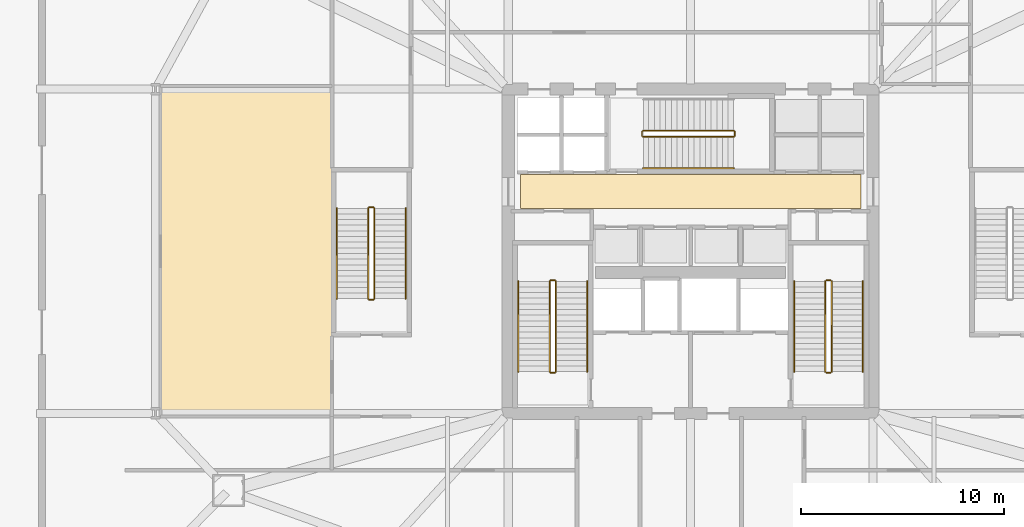
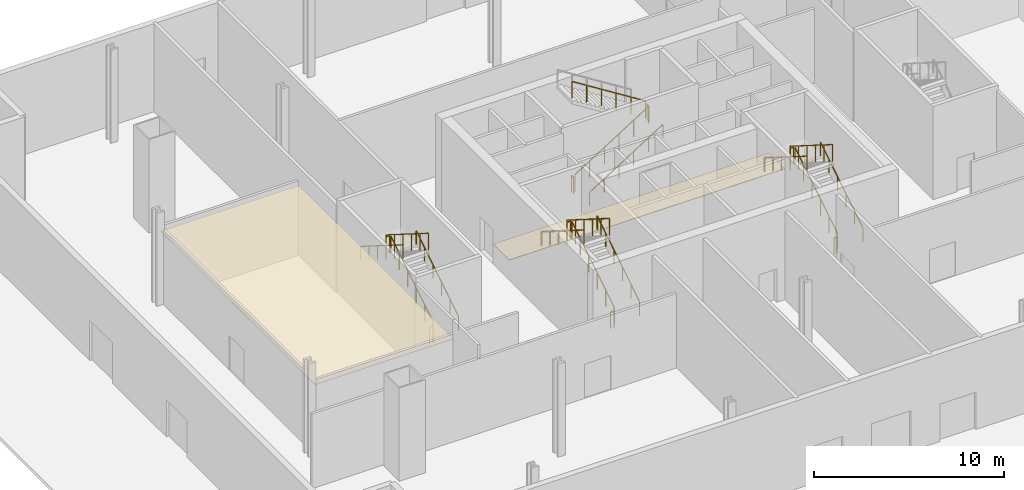
# One storey, part 8 of 10: 23 railings, 2 coverings.
"""IFC4 building model written with IfcOpenShell, lengths in metres."""

import ifcopenshell
import ifcopenshell.guid

model = None  # the IFC model being written
_history = None  # IfcOwnerHistory: only IFC2X3 demands one
_inside = {}  # id of a spatial element -> (the spatial element, [elements in it])
_under = {}  # id of a project, library or spatial element -> (it, [spatial elements below it])
_declared = {}  # id of a project -> (the project, [libraries it declares])
_typed = {}  # id of a type object -> (the type object, [elements of that type])
_made_of = {}  # id of a material, layer set ... -> (it, [elements and type objects made of it])


def new_model(schema):
    """Start an empty IFC model of exactly this schema.

    Asked for "IFC4X3", IfcOpenShell would pick the latest addendum, in which some entities
    have other attributes; the version numbers below select the first issue.
    IFC2X3 requires an IfcOwnerHistory on every rooted entity: one is made here for all.
    """
    global model, _history
    if schema == "IFC4X3":
        model = ifcopenshell.file(schema_version=(4, 3, 0, 0))
    else:
        model = ifcopenshell.file(schema=schema)
    _inside.clear()
    _under.clear()
    _declared.clear()
    _typed.clear()
    _made_of.clear()
    _history = None
    if model.schema == "IFC2X3":
        org = make("IfcOrganization", Name="unknown")
        user = make(
            "IfcPersonAndOrganization",
            ThePerson=make("IfcPerson", FamilyName="unknown"),
            TheOrganization=org,
        )
        app = make(
            "IfcApplication",
            ApplicationDeveloper=org,
            Version="unknown",
            ApplicationFullName="unknown",
            ApplicationIdentifier="unknown",
        )
        _history = make(
            "IfcOwnerHistory",
            OwningUser=user,
            OwningApplication=app,
            ChangeAction="ADDED",
            CreationDate=0,
        )
    return model


def make(cls, **values):
    """One entity of the class cls with the attributes given. An attribute that is None is left unset."""
    return model.create_entity(
        cls, **{name: value for name, value in values.items() if value is not None}
    )


def rooted(cls, **values):
    """An entity with a GlobalId (a new one), such as an element, a storey or a relation."""
    return make(cls, GlobalId=ifcopenshell.guid.new(), OwnerHistory=_history, **values)


def si_unit(unit_type, name, prefix=None):
    """IfcSIUnit, for example si_unit("LENGTHUNIT", "METRE", prefix="MILLI")."""
    return make("IfcSIUnit", UnitType=unit_type, Prefix=prefix, Name=name)


def assignment(units):
    """IfcUnitAssignment: the units of a project."""
    return None if units is None else make("IfcUnitAssignment", Units=units)


def point(xyz):
    """IfcCartesianPoint."""
    return None if xyz is None else make("IfcCartesianPoint", Coordinates=xyz)


def direction(xyz):
    """IfcDirection."""
    return None if xyz is None else make("IfcDirection", DirectionRatios=xyz)


def frame(location, z_axis=None, x_axis=None):
    """IfcAxis2Placement3D, a coordinate frame: its origin and axes. An axis left out is left unset."""
    return make(
        "IfcAxis2Placement3D",
        Location=point(location),
        Axis=direction(z_axis),
        RefDirection=direction(x_axis),
    )


def frame_2d(location, x_axis=None):
    """IfcAxis2Placement2D, a coordinate frame in the plane: its origin and x axis."""
    return make(
        "IfcAxis2Placement2D", Location=point(location), RefDirection=direction(x_axis)
    )


def origin():
    """The frame at (0, 0, 0) with its axes left unset."""
    return frame((0.0, 0.0, 0.0))


def origin_2d():
    """The frame at (0, 0) in the plane with its x axis left unset."""
    return frame_2d((0.0, 0.0))


def place(relative_to, where):
    """IfcLocalPlacement: puts the frame where relative to a parent placement (None: the world)."""
    return make(
        "IfcLocalPlacement", PlacementRelTo=relative_to, RelativePlacement=where
    )


def context(
    kind, dimensions, precision=None, world=None, true_north=None, identifier=None
):
    """IfcGeometricRepresentationContext, for example the 3D "Model" context."""
    return make(
        "IfcGeometricRepresentationContext",
        ContextIdentifier=identifier,
        ContextType=kind,
        CoordinateSpaceDimension=dimensions,
        Precision=precision,
        WorldCoordinateSystem=world,
        TrueNorth=true_north,
    )


def subcontext(parent, identifier, kind, view, scale=None):
    """IfcGeometricRepresentationSubContext, for example "Body" below "Model"."""
    return make(
        "IfcGeometricRepresentationSubContext",
        ContextIdentifier=identifier,
        ContextType=kind,
        ParentContext=parent,
        TargetScale=scale,
        TargetView=view,
    )


def project(units=None, contexts=None):
    """IfcProject with its units and contexts."""
    return rooted(
        "IfcProject",
        Name="project",
        RepresentationContexts=contexts,
        UnitsInContext=assignment(units),
    )


def spatial(cls, under=None, at=None, **own):
    """A site, building, storey or space (cls), placed at a placement, below another one or the project."""
    s = rooted(cls, ObjectPlacement=at, **own)
    if under is not None:
        _under.setdefault(under.id(), (under, []))[1].append(s)
    return s


def polyline(points):
    """IfcPolyline through the points."""
    return make("IfcPolyline", Points=[point(p) for p in points])


def profile(cls, at=None, kind="AREA", **sizes):
    """A parametric profile (cls). Its sizes go by their IFC names, for example OverallWidth=200.0."""
    return make(cls, ProfileType=kind, Position=at, **sizes)


def rectangle(**sizes):
    """IfcRectangleProfileDef."""
    return profile("IfcRectangleProfileDef", **sizes)


def outline(outer, holes=None, kind="AREA"):
    """IfcArbitraryClosedProfileDef: a profile drawn as a closed curve; with holes, ...WithVoids."""
    if holes is None:
        return make("IfcArbitraryClosedProfileDef", ProfileType=kind, OuterCurve=outer)
    return make(
        "IfcArbitraryProfileDefWithVoids",
        ProfileType=kind,
        OuterCurve=outer,
        InnerCurves=holes,
    )


def extrude(swept, where, along, depth):
    """IfcExtrudedAreaSolid: the profile swept, set in the frame where, extruded along a direction by depth."""
    return make(
        "IfcExtrudedAreaSolid",
        SweptArea=swept,
        Position=where,
        ExtrudedDirection=direction(along),
        Depth=depth,
    )


def shape(context_of_items, identifier, shape_type, items):
    """IfcShapeRepresentation: the items that make up one representation, for example the "Body"."""
    return make(
        "IfcShapeRepresentation",
        ContextOfItems=context_of_items,
        RepresentationIdentifier=identifier,
        RepresentationType=shape_type,
        Items=items,
    )


def material(Name=None, Category=None):
    """IfcMaterial."""
    return make("IfcMaterial", Name=Name, Category=Category)


def layer(
    of_material, thickness, ventilated=None, Name=None, Category=None, Priority=None
):
    """IfcMaterialLayer: one layer of a wall or slab, of a material (None: an air gap)."""
    return make(
        "IfcMaterialLayer",
        Material=of_material,
        LayerThickness=thickness,
        IsVentilated=ventilated,
        Name=Name,
        Category=Category,
        Priority=Priority,
    )


def layer_set(layers, Name=None):
    """IfcMaterialLayerSet."""
    return make("IfcMaterialLayerSet", MaterialLayers=layers, LayerSetName=Name)


def made_of(thing, what):
    """Note that an element or type object is made of a material, layer set ...; save() writes the relation."""
    if what is not None:
        _made_of.setdefault(what.id(), (what, []))[1].append(thing)
    return thing


def type_object(cls, material=None, **own):
    """A type object (cls), such as IfcWallType, which elements share."""
    return made_of(rooted(cls, **own), material)


def element(
    cls,
    number,
    at=None,
    inside=None,
    cuts=None,
    type_object=None,
    material=None,
    context=None,
    identifier="Body",
    shape_type=None,
    held_by="IfcProductDefinitionShape",
    body=None,
    shapes=None,
    **own,
):
    """One element of the class cls, such as IfcWall. Its Tag is "e" and its number.

    at: its placement. inside: the storey or other place that contains it. cuts: it is an
    opening in that element (IfcRelVoidsElement). A single representation is given by context,
    identifier, shape_type and body (its items); several are given by shapes. held_by: the class
    of the entity that holds the representations. save() writes the other relations.
    """
    e = rooted(cls, Tag="e%d" % number, ObjectPlacement=at, **own)
    if body is not None:
        shapes = [shape(context, identifier, shape_type, body)]
    if shapes is not None:
        e.Representation = make(held_by, Representations=shapes)
    if inside is not None:
        _inside.setdefault(inside.id(), (inside, []))[1].append(e)
    if cuts is not None:
        rooted(
            "IfcRelVoidsElement", RelatingBuildingElement=cuts, RelatedOpeningElement=e
        )
    if type_object is not None:
        _typed.setdefault(type_object.id(), (type_object, []))[1].append(e)
    return made_of(e, material)


def aggregate(whole, parts):
    """IfcRelAggregates: a whole, such as a stair, and the parts it consists of."""
    return rooted("IfcRelAggregates", RelatingObject=whole, RelatedObjects=parts)


def save(model, path):
    """Write the relations noted so far, then the file.

    IfcRelAggregates (storeys below a building ...), IfcRelContainedInSpatialStructure (elements
    in a storey), IfcRelDefinesByType, IfcRelAssociatesMaterial and IfcRelDeclares: one each for
    every whole, place, type object, material and project.
    """
    for whole, parts in _under.values():
        aggregate(whole, parts)
    for where, things in _inside.values():
        rooted(
            "IfcRelContainedInSpatialStructure",
            RelatedElements=things,
            RelatingStructure=where,
        )
    for kind, things in _typed.values():
        rooted("IfcRelDefinesByType", RelatedObjects=things, RelatingType=kind)
    for what, things in _made_of.values():
        rooted("IfcRelAssociatesMaterial", RelatedObjects=things, RelatingMaterial=what)
    for by, libraries in _declared.values():
        rooted("IfcRelDeclares", RelatingContext=by, RelatedDefinitions=libraries)
    model.write(path)


model = new_model("IFC4")

# Units and contexts
model_context = context("Model", 3, precision=1e-05, world=origin(), true_north=direction((0.0, 1.0)))
body_context = subcontext(model_context, "Body", "Model", "MODEL_VIEW")
ifc_project = project(units=[si_unit("LENGTHUNIT", "METRE"), si_unit("AREAUNIT", "SQUARE_METRE"), si_unit("VOLUMEUNIT", "CUBIC_METRE"), si_unit("PLANEANGLEUNIT", "RADIAN"), si_unit("MASSUNIT", "GRAM", prefix="KILO")], contexts=[model_context])

# Site, building, storey
site_placement = place(None, origin())
site = spatial("IfcSite", under=ifc_project, at=site_placement, CompositionType="ELEMENT")
building_placement = place(site_placement, origin())
building = spatial("IfcBuilding", under=site, at=building_placement, Name="Haldenkirk Collegiate Tower", CompositionType="ELEMENT")
storey_placement = place(building_placement, origin())
storey = spatial("IfcBuildingStorey", under=building, at=storey_placement, Name="L00", CompositionType="ELEMENT", Elevation=0.0)

# Coverings
ifc_material_1 = material(Name="Suspended mineral-fibre acoustic tile", Category="concrete")
ifc_layer_1 = layer(ifc_material_1, 0.0400390625)
ifc_layer_set_1 = layer_set([ifc_layer_1], Name="Suspended mineral-fibre acoustic tile")
covering_type_1 = type_object("IfcCoveringType", Name="COV-CEIL-ACOUSTIC", PredefinedType="CEILING", material=ifc_layer_set_1)
covering_1_placement = place(storey_placement, frame((0.0, 0.0, 4.39990234375)))
element("IfcCovering", 1, at=covering_1_placement, inside=storey, type_object=covering_type_1, Name="L00 acoustic suspended ceiling CLG-L00-LT1", PredefinedType="CEILING", context=body_context, shape_type="SweptSolid", body=[
    extrude(outline(polyline([(9.85009765625, 17.85009765625), (18.300048828125, 17.85009765625), (18.300048828125, 34.14990234375), (9.85009765625, 34.14990234375), (9.85009765625, 17.85009765625)])), origin(), (0.0, 0.0, 1.0), 0.0400390625),
])
ifc_material_2 = material(Name="Polished collegiate terrazzo", Category="concrete")
ifc_layer_2 = layer(ifc_material_2, 0.02490234375)
ifc_layer_set_2 = layer_set([ifc_layer_2], Name="Polished collegiate terrazzo")
covering_type_2 = type_object("IfcCoveringType", Name="COV-FLOOR-TERRAZZO", PredefinedType="FLOORING", material=ifc_layer_set_2)
covering_2_placement = place(storey_placement, origin())
element("IfcCovering", 2, at=covering_2_placement, inside=storey, type_object=covering_type_2, Name="L00 polished terrazzo lobby finish", PredefinedType="FLOORING", context=body_context, shape_type="SweptSolid", body=[
    extrude(outline(polyline([(27.60009765625, 28.10009765625), (44.39990234375, 28.10009765625), (44.39990234375, 29.800048828125), (27.60009765625, 29.800048828125), (27.60009765625, 28.10009765625)])), origin(), (0.0, 0.0, 1.0), 0.02490234375),
])

# Railings
ifc_material_3 = material(Name="Painted architectural tubular steel", Category="steel")
railing_type_1 = type_object("IfcRailingType", Name="RLG-STAIR-GUARD-1100", PredefinedType="BALUSTRADE", material=ifc_material_3)
railing_1_placement = place(storey_placement, frame((29.35009765625, 20.050048828125, 0.176513671875)))
element("IfcRailing", 3, at=railing_1_placement, inside=storey, type_object=railing_type_1, Name="L00 ST-1 stair guard 1", PredefinedType="BALUSTRADE", context=body_context, shape_type="SweptSolid", body=[
    extrude(rectangle(XDim=0.048095703125, YDim=0.048095703125, at=origin_2d()), frame((0.0, 0.0, 1.076171875), z_axis=(0.0, 0.845997938375, 0.533186166611), x_axis=(-1.0, 0.0, 0.0)), (0.0, 0.0, 1.0), 5.29541015625),
    extrude(rectangle(XDim=0.0419921875, YDim=0.0419921875, at=origin_2d()), origin(), (0.0, 0.0, 1.0), 1.052001953125),
    extrude(rectangle(XDim=0.0419921875, YDim=0.0419921875, at=origin_2d()), frame((0.0, 0.89599609375, 0.564697265625)), (0.0, 0.0, 1.0), 1.052001953125),
    extrude(rectangle(XDim=0.0419921875, YDim=0.0419921875, at=origin_2d()), frame((0.0, 1.7919921875, 1.12939453125)), (0.0, 0.0, 1.0), 1.052001953125),
    extrude(rectangle(XDim=0.0419921875, YDim=0.0419921875, at=origin_2d()), frame((0.0, 2.68798828125, 1.694091796875)), (0.0, 0.0, 1.0), 1.052001953125),
    extrude(rectangle(XDim=0.0419921875, YDim=0.0419921875, at=origin_2d()), frame((0.0, 3.583984375, 2.2587890625)), (0.0, 0.0, 1.0), 1.052001953125),
    extrude(rectangle(XDim=0.0419921875, YDim=0.0419921875, at=origin_2d()), frame((0.0, 4.47998046875, 2.823486328125)), (0.0, 0.0, 1.0), 1.052001953125),
])
railing_2_placement = place(storey_placement, frame((29.300048828125, 24.580078125, 3.0)))
element("IfcRailing", 4, at=railing_2_placement, inside=storey, type_object=railing_type_1, Name="L00 ST-1 stair guard 2", PredefinedType="BALUSTRADE", context=body_context, shape_type="SweptSolid", body=[
    extrude(rectangle(XDim=0.048095703125, YDim=0.048095703125, at=origin_2d()), frame((0.0, 0.0, 1.076171875), z_axis=(-1.0, 0.0, 0.0), x_axis=(0.0, -1.0, 0.0)), (0.0, 0.0, 1.0), 0.199951171875),
    extrude(rectangle(XDim=0.0419921875, YDim=0.0419921875, at=origin_2d()), origin(), (0.0, 0.0, 1.0), 1.052001953125),
    extrude(rectangle(XDim=0.0419921875, YDim=0.0419921875, at=origin_2d()), frame((-0.199951171875, 0.0, 0.0)), (0.0, 0.0, 1.0), 1.052001953125),
])
railing_3_placement = place(storey_placement, frame((29.050048828125, 24.530029296875, 3.176513671875)))
element("IfcRailing", 5, at=railing_3_placement, inside=storey, type_object=railing_type_1, Name="L00 ST-1 stair guard 3", PredefinedType="BALUSTRADE", context=body_context, shape_type="SweptSolid", body=[
    extrude(rectangle(XDim=0.048095703125, YDim=0.048095703125, at=origin_2d()), frame((0.0, 0.0, 1.076171875), z_axis=(0.0, -0.845997938375, 0.533186166611), x_axis=(1.0, 0.0, 0.0)), (0.0, 0.0, 1.0), 5.29541015625),
    extrude(rectangle(XDim=0.0419921875, YDim=0.0419921875, at=origin_2d()), origin(), (0.0, 0.0, 1.0), 1.052001953125),
    extrude(rectangle(XDim=0.0419921875, YDim=0.0419921875, at=origin_2d()), frame((0.0, -0.89599609375, 0.564697265625)), (0.0, 0.0, 1.0), 1.052001953125),
    extrude(rectangle(XDim=0.0419921875, YDim=0.0419921875, at=origin_2d()), frame((0.0, -1.7919921875, 1.12939453125)), (0.0, 0.0, 1.0), 1.052001953125),
    extrude(rectangle(XDim=0.0419921875, YDim=0.0419921875, at=origin_2d()), frame((0.0, -2.68798828125, 1.694091796875)), (0.0, 0.0, 1.0), 1.052001953125),
    extrude(rectangle(XDim=0.0419921875, YDim=0.0419921875, at=origin_2d()), frame((0.0, -3.583984375, 2.2587890625)), (0.0, 0.0, 1.0), 1.052001953125),
    extrude(rectangle(XDim=0.0419921875, YDim=0.0419921875, at=origin_2d()), frame((0.0, -4.47998046875, 2.823486328125)), (0.0, 0.0, 1.0), 1.052001953125),
])
railing_4_placement = place(storey_placement, frame((29.300048828125, 20.0, 0.0)))
element("IfcRailing", 6, at=railing_4_placement, inside=storey, type_object=railing_type_1, Name="L00 ST-1 stair guard 4", PredefinedType="BALUSTRADE", context=body_context, shape_type="SweptSolid", body=[
    extrude(rectangle(XDim=0.048095703125, YDim=0.048095703125, at=origin_2d()), frame((0.0, 0.0, 1.076171875), z_axis=(-1.0, 0.0, 0.0), x_axis=(0.0, -1.0, 0.0)), (0.0, 0.0, 1.0), 0.199951171875),
    extrude(rectangle(XDim=0.0419921875, YDim=0.0419921875, at=origin_2d()), origin(), (0.0, 0.0, 1.0), 1.052001953125),
    extrude(rectangle(XDim=0.0419921875, YDim=0.0419921875, at=origin_2d()), frame((-0.199951171875, 0.0, 0.0)), (0.0, 0.0, 1.0), 1.052001953125),
])
railing_5_placement = place(storey_placement, frame((42.949951171875, 20.050048828125, 0.176513671875)))
element("IfcRailing", 7, at=railing_5_placement, inside=storey, type_object=railing_type_1, Name="L00 ST-2 stair guard 1", PredefinedType="BALUSTRADE", context=body_context, shape_type="SweptSolid", body=[
    extrude(rectangle(XDim=0.048095703125, YDim=0.048095703125, at=origin_2d()), frame((0.0, 0.0, 1.076171875), z_axis=(0.0, 0.845997938375, 0.533186166611), x_axis=(-1.0, 0.0, 0.0)), (0.0, 0.0, 1.0), 5.29541015625),
    extrude(rectangle(XDim=0.0419921875, YDim=0.0419921875, at=origin_2d()), origin(), (0.0, 0.0, 1.0), 1.052001953125),
    extrude(rectangle(XDim=0.0419921875, YDim=0.0419921875, at=origin_2d()), frame((0.0, 0.89599609375, 0.564697265625)), (0.0, 0.0, 1.0), 1.052001953125),
    extrude(rectangle(XDim=0.0419921875, YDim=0.0419921875, at=origin_2d()), frame((0.0, 1.7919921875, 1.12939453125)), (0.0, 0.0, 1.0), 1.052001953125),
    extrude(rectangle(XDim=0.0419921875, YDim=0.0419921875, at=origin_2d()), frame((0.0, 2.68798828125, 1.694091796875)), (0.0, 0.0, 1.0), 1.052001953125),
    extrude(rectangle(XDim=0.0419921875, YDim=0.0419921875, at=origin_2d()), frame((0.0, 3.583984375, 2.2587890625)), (0.0, 0.0, 1.0), 1.052001953125),
    extrude(rectangle(XDim=0.0419921875, YDim=0.0419921875, at=origin_2d()), frame((0.0, 4.47998046875, 2.823486328125)), (0.0, 0.0, 1.0), 1.052001953125),
])
railing_6_placement = place(storey_placement, frame((42.89990234375, 24.580078125, 3.0)))
element("IfcRailing", 8, at=railing_6_placement, inside=storey, type_object=railing_type_1, Name="L00 ST-2 stair guard 2", PredefinedType="BALUSTRADE", context=body_context, shape_type="SweptSolid", body=[
    extrude(rectangle(XDim=0.048095703125, YDim=0.048095703125, at=origin_2d()), frame((0.0, 0.0, 1.076171875), z_axis=(-1.0, 0.0, 0.0), x_axis=(0.0, -1.0, 0.0)), (0.0, 0.0, 1.0), 0.199951171875),
    extrude(rectangle(XDim=0.0419921875, YDim=0.0419921875, at=origin_2d()), origin(), (0.0, 0.0, 1.0), 1.052001953125),
    extrude(rectangle(XDim=0.0419921875, YDim=0.0419921875, at=origin_2d()), frame((-0.199951171875, 0.0, 0.0)), (0.0, 0.0, 1.0), 1.052001953125),
])
railing_7_placement = place(storey_placement, frame((42.64990234375, 24.530029296875, 3.176513671875)))
element("IfcRailing", 9, at=railing_7_placement, inside=storey, type_object=railing_type_1, Name="L00 ST-2 stair guard 3", PredefinedType="BALUSTRADE", context=body_context, shape_type="SweptSolid", body=[
    extrude(rectangle(XDim=0.048095703125, YDim=0.048095703125, at=origin_2d()), frame((0.0, 0.0, 1.076171875), z_axis=(0.0, -0.845997938375, 0.533186166611), x_axis=(1.0, 0.0, 0.0)), (0.0, 0.0, 1.0), 5.29541015625),
    extrude(rectangle(XDim=0.0419921875, YDim=0.0419921875, at=origin_2d()), origin(), (0.0, 0.0, 1.0), 1.052001953125),
    extrude(rectangle(XDim=0.0419921875, YDim=0.0419921875, at=origin_2d()), frame((0.0, -0.89599609375, 0.564697265625)), (0.0, 0.0, 1.0), 1.052001953125),
    extrude(rectangle(XDim=0.0419921875, YDim=0.0419921875, at=origin_2d()), frame((0.0, -1.7919921875, 1.12939453125)), (0.0, 0.0, 1.0), 1.052001953125),
    extrude(rectangle(XDim=0.0419921875, YDim=0.0419921875, at=origin_2d()), frame((0.0, -2.68798828125, 1.694091796875)), (0.0, 0.0, 1.0), 1.052001953125),
    extrude(rectangle(XDim=0.0419921875, YDim=0.0419921875, at=origin_2d()), frame((0.0, -3.583984375, 2.2587890625)), (0.0, 0.0, 1.0), 1.052001953125),
    extrude(rectangle(XDim=0.0419921875, YDim=0.0419921875, at=origin_2d()), frame((0.0, -4.47998046875, 2.823486328125)), (0.0, 0.0, 1.0), 1.052001953125),
])
railing_8_placement = place(storey_placement, frame((42.89990234375, 20.0, 0.0)))
element("IfcRailing", 10, at=railing_8_placement, inside=storey, type_object=railing_type_1, Name="L00 ST-2 stair guard 4", PredefinedType="BALUSTRADE", context=body_context, shape_type="SweptSolid", body=[
    extrude(rectangle(XDim=0.048095703125, YDim=0.048095703125, at=origin_2d()), frame((0.0, 0.0, 1.076171875), z_axis=(-1.0, 0.0, 0.0), x_axis=(0.0, -1.0, 0.0)), (0.0, 0.0, 1.0), 0.199951171875),
    extrude(rectangle(XDim=0.0419921875, YDim=0.0419921875, at=origin_2d()), origin(), (0.0, 0.0, 1.0), 1.052001953125),
    extrude(rectangle(XDim=0.0419921875, YDim=0.0419921875, at=origin_2d()), frame((-0.199951171875, 0.0, 0.0)), (0.0, 0.0, 1.0), 1.052001953125),
])
railing_9_placement = place(storey_placement, frame((33.64990234375, 31.64990234375, 0.176513671875)))
element("IfcRailing", 11, at=railing_9_placement, inside=storey, type_object=railing_type_1, Name="L00 ST-3 stair guard 1", PredefinedType="BALUSTRADE", context=body_context, shape_type="SweptSolid", body=[
    extrude(rectangle(XDim=0.048095703125, YDim=0.048095703125, at=origin_2d()), frame((0.0, 0.0, 1.076171875), z_axis=(0.845997938375, 0.0, 0.533186166611), x_axis=(0.0, 1.0, 0.0)), (0.0, 0.0, 1.0), 5.29541015625),
    extrude(rectangle(XDim=0.0419921875, YDim=0.0419921875, at=origin_2d()), origin(), (0.0, 0.0, 1.0), 1.052001953125),
    extrude(rectangle(XDim=0.0419921875, YDim=0.0419921875, at=origin_2d()), frame((0.89599609375, 0.0, 0.564697265625)), (0.0, 0.0, 1.0), 1.052001953125),
    extrude(rectangle(XDim=0.0419921875, YDim=0.0419921875, at=origin_2d()), frame((1.7919921875, 0.0, 1.12939453125)), (0.0, 0.0, 1.0), 1.052001953125),
    extrude(rectangle(XDim=0.0419921875, YDim=0.0419921875, at=origin_2d()), frame((2.68798828125, 0.0, 1.694091796875)), (0.0, 0.0, 1.0), 1.052001953125),
    extrude(rectangle(XDim=0.0419921875, YDim=0.0419921875, at=origin_2d()), frame((3.583984375, 0.0, 2.2587890625)), (0.0, 0.0, 1.0), 1.052001953125),
    extrude(rectangle(XDim=0.0419921875, YDim=0.0419921875, at=origin_2d()), frame((4.47998046875, 0.0, 2.823486328125)), (0.0, 0.0, 1.0), 1.052001953125),
])
railing_10_placement = place(storey_placement, frame((38.179931640625, 31.699951171875, 3.0)))
element("IfcRailing", 12, at=railing_10_placement, inside=storey, type_object=railing_type_1, Name="L00 ST-3 stair guard 2", PredefinedType="BALUSTRADE", context=body_context, shape_type="SweptSolid", body=[
    extrude(rectangle(XDim=0.048095703125, YDim=0.048095703125, at=origin_2d()), frame((0.0, 0.0, 1.076171875), z_axis=(0.0, 1.0, 0.0), x_axis=(-1.0, 0.0, 0.0)), (0.0, 0.0, 1.0), 0.199951171875),
    extrude(rectangle(XDim=0.0419921875, YDim=0.0419921875, at=origin_2d()), origin(), (0.0, 0.0, 1.0), 1.052001953125),
    extrude(rectangle(XDim=0.0419921875, YDim=0.0419921875, at=origin_2d()), frame((0.0, 0.199951171875, 0.0)), (0.0, 0.0, 1.0), 1.052001953125),
])
railing_11_placement = place(storey_placement, frame((38.1298828125, 31.949951171875, 3.176513671875)))
element("IfcRailing", 13, at=railing_11_placement, inside=storey, type_object=railing_type_1, Name="L00 ST-3 stair guard 3", PredefinedType="BALUSTRADE", context=body_context, shape_type="SweptSolid", body=[
    extrude(rectangle(XDim=0.048095703125, YDim=0.048095703125, at=origin_2d()), frame((0.0, 0.0, 1.076171875), z_axis=(-0.845997938375, 0.0, 0.533186166611), x_axis=(0.0, -1.0, 0.0)), (0.0, 0.0, 1.0), 5.29541015625),
    extrude(rectangle(XDim=0.0419921875, YDim=0.0419921875, at=origin_2d()), origin(), (0.0, 0.0, 1.0), 1.052001953125),
    extrude(rectangle(XDim=0.0419921875, YDim=0.0419921875, at=origin_2d()), frame((-0.89599609375, 0.0, 0.564697265625)), (0.0, 0.0, 1.0), 1.052001953125),
    extrude(rectangle(XDim=0.0419921875, YDim=0.0419921875, at=origin_2d()), frame((-1.7919921875, 0.0, 1.12939453125)), (0.0, 0.0, 1.0), 1.052001953125),
    extrude(rectangle(XDim=0.0419921875, YDim=0.0419921875, at=origin_2d()), frame((-2.68798828125, 0.0, 1.694091796875)), (0.0, 0.0, 1.0), 1.052001953125),
    extrude(rectangle(XDim=0.0419921875, YDim=0.0419921875, at=origin_2d()), frame((-3.583984375, 0.0, 2.2587890625)), (0.0, 0.0, 1.0), 1.052001953125),
    extrude(rectangle(XDim=0.0419921875, YDim=0.0419921875, at=origin_2d()), frame((-4.47998046875, 0.0, 2.823486328125)), (0.0, 0.0, 1.0), 1.052001953125),
])
railing_12_placement = place(storey_placement, frame((33.60009765625, 31.699951171875, 0.0)))
element("IfcRailing", 14, at=railing_12_placement, inside=storey, type_object=railing_type_1, Name="L00 ST-3 stair guard 4", PredefinedType="BALUSTRADE", context=body_context, shape_type="SweptSolid", body=[
    extrude(rectangle(XDim=0.048095703125, YDim=0.048095703125, at=origin_2d()), frame((0.0, 0.0, 1.076171875), z_axis=(0.0, 1.0, 0.0), x_axis=(-1.0, 0.0, 0.0)), (0.0, 0.0, 1.0), 0.199951171875),
    extrude(rectangle(XDim=0.0419921875, YDim=0.0419921875, at=origin_2d()), origin(), (0.0, 0.0, 1.0), 1.052001953125),
    extrude(rectangle(XDim=0.0419921875, YDim=0.0419921875, at=origin_2d()), frame((0.0, 0.199951171875, 0.0)), (0.0, 0.0, 1.0), 1.052001953125),
])
railing_13_placement = place(storey_placement, frame((20.39990234375, 23.64990234375, 0.176513671875)))
element("IfcRailing", 15, at=railing_13_placement, inside=storey, type_object=railing_type_1, Name="L00 ST-4 stair guard 1", PredefinedType="BALUSTRADE", context=body_context, shape_type="SweptSolid", body=[
    extrude(rectangle(XDim=0.048095703125, YDim=0.048095703125, at=origin_2d()), frame((0.0, 0.0, 1.076171875), z_axis=(0.0, 0.845997938375, 0.533186166611), x_axis=(-1.0, 0.0, 0.0)), (0.0, 0.0, 1.0), 5.29541015625),
    extrude(rectangle(XDim=0.0419921875, YDim=0.0419921875, at=origin_2d()), origin(), (0.0, 0.0, 1.0), 1.052001953125),
    extrude(rectangle(XDim=0.0419921875, YDim=0.0419921875, at=origin_2d()), frame((0.0, 0.89599609375, 0.564697265625)), (0.0, 0.0, 1.0), 1.052001953125),
    extrude(rectangle(XDim=0.0419921875, YDim=0.0419921875, at=origin_2d()), frame((0.0, 1.7919921875, 1.12939453125)), (0.0, 0.0, 1.0), 1.052001953125),
    extrude(rectangle(XDim=0.0419921875, YDim=0.0419921875, at=origin_2d()), frame((0.0, 2.68798828125, 1.694091796875)), (0.0, 0.0, 1.0), 1.052001953125),
    extrude(rectangle(XDim=0.0419921875, YDim=0.0419921875, at=origin_2d()), frame((0.0, 3.583984375, 2.2587890625)), (0.0, 0.0, 1.0), 1.052001953125),
    extrude(rectangle(XDim=0.0419921875, YDim=0.0419921875, at=origin_2d()), frame((0.0, 4.47998046875, 2.823486328125)), (0.0, 0.0, 1.0), 1.052001953125),
])
railing_14_placement = place(storey_placement, frame((20.35009765625, 28.179931640625, 3.0)))
element("IfcRailing", 16, at=railing_14_placement, inside=storey, type_object=railing_type_1, Name="L00 ST-4 stair guard 2", PredefinedType="BALUSTRADE", context=body_context, shape_type="SweptSolid", body=[
    extrude(rectangle(XDim=0.048095703125, YDim=0.048095703125, at=origin_2d()), frame((0.0, 0.0, 1.076171875), z_axis=(-1.0, 0.0, 0.0), x_axis=(0.0, -1.0, 0.0)), (0.0, 0.0, 1.0), 0.2001953125),
    extrude(rectangle(XDim=0.0419921875, YDim=0.0419921875, at=origin_2d()), origin(), (0.0, 0.0, 1.0), 1.052001953125),
    extrude(rectangle(XDim=0.0419921875, YDim=0.0419921875, at=origin_2d()), frame((-0.2001953125, 0.0, 0.0)), (0.0, 0.0, 1.0), 1.052001953125),
])
railing_15_placement = place(storey_placement, frame((20.10009765625, 28.1298828125, 3.176513671875)))
element("IfcRailing", 17, at=railing_15_placement, inside=storey, type_object=railing_type_1, Name="L00 ST-4 stair guard 3", PredefinedType="BALUSTRADE", context=body_context, shape_type="SweptSolid", body=[
    extrude(rectangle(XDim=0.048095703125, YDim=0.048095703125, at=origin_2d()), frame((0.0, 0.0, 1.076171875), z_axis=(0.0, -0.845997938375, 0.533186166611), x_axis=(1.0, 0.0, 0.0)), (0.0, 0.0, 1.0), 5.29541015625),
    extrude(rectangle(XDim=0.0419921875, YDim=0.0419921875, at=origin_2d()), origin(), (0.0, 0.0, 1.0), 1.052001953125),
    extrude(rectangle(XDim=0.0419921875, YDim=0.0419921875, at=origin_2d()), frame((0.0, -0.89599609375, 0.564697265625)), (0.0, 0.0, 1.0), 1.052001953125),
    extrude(rectangle(XDim=0.0419921875, YDim=0.0419921875, at=origin_2d()), frame((0.0, -1.7919921875, 1.12939453125)), (0.0, 0.0, 1.0), 1.052001953125),
    extrude(rectangle(XDim=0.0419921875, YDim=0.0419921875, at=origin_2d()), frame((0.0, -2.68798828125, 1.694091796875)), (0.0, 0.0, 1.0), 1.052001953125),
    extrude(rectangle(XDim=0.0419921875, YDim=0.0419921875, at=origin_2d()), frame((0.0, -3.583984375, 2.2587890625)), (0.0, 0.0, 1.0), 1.052001953125),
    extrude(rectangle(XDim=0.0419921875, YDim=0.0419921875, at=origin_2d()), frame((0.0, -4.47998046875, 2.823486328125)), (0.0, 0.0, 1.0), 1.052001953125),
])
railing_16_placement = place(storey_placement, frame((20.35009765625, 23.60009765625, 0.0)))
element("IfcRailing", 18, at=railing_16_placement, inside=storey, type_object=railing_type_1, Name="L00 ST-4 stair guard 4", PredefinedType="BALUSTRADE", context=body_context, shape_type="SweptSolid", body=[
    extrude(rectangle(XDim=0.048095703125, YDim=0.048095703125, at=origin_2d()), frame((0.0, 0.0, 1.076171875), z_axis=(-1.0, 0.0, 0.0), x_axis=(0.0, -1.0, 0.0)), (0.0, 0.0, 1.0), 0.2001953125),
    extrude(rectangle(XDim=0.0419921875, YDim=0.0419921875, at=origin_2d()), origin(), (0.0, 0.0, 1.0), 1.052001953125),
    extrude(rectangle(XDim=0.0419921875, YDim=0.0419921875, at=origin_2d()), frame((-0.2001953125, 0.0, 0.0)), (0.0, 0.0, 1.0), 1.052001953125),
])
railing_type_2 = type_object("IfcRailingType", Name="RLG-STAIR-HANDRAIL-900", PredefinedType="HANDRAIL", material=ifc_material_3)
railing_17_placement = place(storey_placement, frame((30.89990234375, 20.050048828125, 0.176513671875)))
element("IfcRailing", 19, at=railing_17_placement, inside=storey, type_object=railing_type_2, Name="L00 ST-1 stair handrail 1", PredefinedType="HANDRAIL", context=body_context, shape_type="SweptSolid", body=[
    extrude(rectangle(XDim=0.048095703125, YDim=0.048095703125, at=origin_2d()), frame((0.0, 0.0, 0.8759765625), z_axis=(0.0, 0.845997938375, 0.533186166611), x_axis=(-1.0, 0.0, 0.0)), (0.0, 0.0, 1.0), 5.29541015625),
    extrude(rectangle(XDim=0.0419921875, YDim=0.0419921875, at=origin_2d()), origin(), (0.0, 0.0, 1.0), 0.851806640625),
    extrude(rectangle(XDim=0.0419921875, YDim=0.0419921875, at=origin_2d()), frame((0.0, 0.89599609375, 0.564697265625)), (0.0, 0.0, 1.0), 0.851806640625),
    extrude(rectangle(XDim=0.0419921875, YDim=0.0419921875, at=origin_2d()), frame((0.0, 1.7919921875, 1.12939453125)), (0.0, 0.0, 1.0), 0.851806640625),
    extrude(rectangle(XDim=0.0419921875, YDim=0.0419921875, at=origin_2d()), frame((0.0, 2.68798828125, 1.694091796875)), (0.0, 0.0, 1.0), 0.851806640625),
    extrude(rectangle(XDim=0.0419921875, YDim=0.0419921875, at=origin_2d()), frame((0.0, 3.583984375, 2.2587890625)), (0.0, 0.0, 1.0), 0.851806640625),
    extrude(rectangle(XDim=0.0419921875, YDim=0.0419921875, at=origin_2d()), frame((0.0, 4.47998046875, 2.823486328125)), (0.0, 0.0, 1.0), 0.851806640625),
])
railing_18_placement = place(storey_placement, frame((27.5, 24.530029296875, 3.176513671875)))
element("IfcRailing", 20, at=railing_18_placement, inside=storey, type_object=railing_type_2, Name="L00 ST-1 stair handrail 2", PredefinedType="HANDRAIL", context=body_context, shape_type="SweptSolid", body=[
    extrude(rectangle(XDim=0.048095703125, YDim=0.048095703125, at=origin_2d()), frame((0.0, 0.0, 0.8759765625), z_axis=(0.0, -0.845997938375, 0.533186166611), x_axis=(1.0, 0.0, 0.0)), (0.0, 0.0, 1.0), 5.29541015625),
    extrude(rectangle(XDim=0.0419921875, YDim=0.0419921875, at=origin_2d()), origin(), (0.0, 0.0, 1.0), 0.851806640625),
    extrude(rectangle(XDim=0.0419921875, YDim=0.0419921875, at=origin_2d()), frame((0.0, -0.89599609375, 0.564697265625)), (0.0, 0.0, 1.0), 0.851806640625),
    extrude(rectangle(XDim=0.0419921875, YDim=0.0419921875, at=origin_2d()), frame((0.0, -1.7919921875, 1.12939453125)), (0.0, 0.0, 1.0), 0.851806640625),
    extrude(rectangle(XDim=0.0419921875, YDim=0.0419921875, at=origin_2d()), frame((0.0, -2.68798828125, 1.694091796875)), (0.0, 0.0, 1.0), 0.851806640625),
    extrude(rectangle(XDim=0.0419921875, YDim=0.0419921875, at=origin_2d()), frame((0.0, -3.583984375, 2.2587890625)), (0.0, 0.0, 1.0), 0.851806640625),
    extrude(rectangle(XDim=0.0419921875, YDim=0.0419921875, at=origin_2d()), frame((0.0, -4.47998046875, 2.823486328125)), (0.0, 0.0, 1.0), 0.851806640625),
])
railing_19_placement = place(storey_placement, frame((44.5, 20.050048828125, 0.176513671875)))
element("IfcRailing", 21, at=railing_19_placement, inside=storey, type_object=railing_type_2, Name="L00 ST-2 stair handrail 1", PredefinedType="HANDRAIL", context=body_context, shape_type="SweptSolid", body=[
    extrude(rectangle(XDim=0.048095703125, YDim=0.048095703125, at=origin_2d()), frame((0.0, 0.0, 0.8759765625), z_axis=(0.0, 0.845997938375, 0.533186166611), x_axis=(-1.0, 0.0, 0.0)), (0.0, 0.0, 1.0), 5.29541015625),
    extrude(rectangle(XDim=0.0419921875, YDim=0.0419921875, at=origin_2d()), origin(), (0.0, 0.0, 1.0), 0.851806640625),
    extrude(rectangle(XDim=0.0419921875, YDim=0.0419921875, at=origin_2d()), frame((0.0, 0.89599609375, 0.564697265625)), (0.0, 0.0, 1.0), 0.851806640625),
    extrude(rectangle(XDim=0.0419921875, YDim=0.0419921875, at=origin_2d()), frame((0.0, 1.7919921875, 1.12939453125)), (0.0, 0.0, 1.0), 0.851806640625),
    extrude(rectangle(XDim=0.0419921875, YDim=0.0419921875, at=origin_2d()), frame((0.0, 2.68798828125, 1.694091796875)), (0.0, 0.0, 1.0), 0.851806640625),
    extrude(rectangle(XDim=0.0419921875, YDim=0.0419921875, at=origin_2d()), frame((0.0, 3.583984375, 2.2587890625)), (0.0, 0.0, 1.0), 0.851806640625),
    extrude(rectangle(XDim=0.0419921875, YDim=0.0419921875, at=origin_2d()), frame((0.0, 4.47998046875, 2.823486328125)), (0.0, 0.0, 1.0), 0.851806640625),
])
railing_20_placement = place(storey_placement, frame((41.10009765625, 24.530029296875, 3.176513671875)))
element("IfcRailing", 22, at=railing_20_placement, inside=storey, type_object=railing_type_2, Name="L00 ST-2 stair handrail 2", PredefinedType="HANDRAIL", context=body_context, shape_type="SweptSolid", body=[
    extrude(rectangle(XDim=0.048095703125, YDim=0.048095703125, at=origin_2d()), frame((0.0, 0.0, 0.8759765625), z_axis=(0.0, -0.845997938375, 0.533186166611), x_axis=(1.0, 0.0, 0.0)), (0.0, 0.0, 1.0), 5.29541015625),
    extrude(rectangle(XDim=0.0419921875, YDim=0.0419921875, at=origin_2d()), origin(), (0.0, 0.0, 1.0), 0.851806640625),
    extrude(rectangle(XDim=0.0419921875, YDim=0.0419921875, at=origin_2d()), frame((0.0, -0.89599609375, 0.564697265625)), (0.0, 0.0, 1.0), 0.851806640625),
    extrude(rectangle(XDim=0.0419921875, YDim=0.0419921875, at=origin_2d()), frame((0.0, -1.7919921875, 1.12939453125)), (0.0, 0.0, 1.0), 0.851806640625),
    extrude(rectangle(XDim=0.0419921875, YDim=0.0419921875, at=origin_2d()), frame((0.0, -2.68798828125, 1.694091796875)), (0.0, 0.0, 1.0), 0.851806640625),
    extrude(rectangle(XDim=0.0419921875, YDim=0.0419921875, at=origin_2d()), frame((0.0, -3.583984375, 2.2587890625)), (0.0, 0.0, 1.0), 0.851806640625),
    extrude(rectangle(XDim=0.0419921875, YDim=0.0419921875, at=origin_2d()), frame((0.0, -4.47998046875, 2.823486328125)), (0.0, 0.0, 1.0), 0.851806640625),
])
railing_21_placement = place(storey_placement, frame((33.64990234375, 30.10009765625, 0.176513671875)))
element("IfcRailing", 23, at=railing_21_placement, inside=storey, type_object=railing_type_2, Name="L00 ST-3 stair handrail 1", PredefinedType="HANDRAIL", context=body_context, shape_type="SweptSolid", body=[
    extrude(rectangle(XDim=0.048095703125, YDim=0.048095703125, at=origin_2d()), frame((0.0, 0.0, 0.8759765625), z_axis=(0.845997938375, 0.0, 0.533186166611), x_axis=(0.0, 1.0, 0.0)), (0.0, 0.0, 1.0), 5.29541015625),
    extrude(rectangle(XDim=0.0419921875, YDim=0.0419921875, at=origin_2d()), origin(), (0.0, 0.0, 1.0), 0.851806640625),
    extrude(rectangle(XDim=0.0419921875, YDim=0.0419921875, at=origin_2d()), frame((0.89599609375, 0.0, 0.564697265625)), (0.0, 0.0, 1.0), 0.851806640625),
    extrude(rectangle(XDim=0.0419921875, YDim=0.0419921875, at=origin_2d()), frame((1.7919921875, 0.0, 1.12939453125)), (0.0, 0.0, 1.0), 0.851806640625),
    extrude(rectangle(XDim=0.0419921875, YDim=0.0419921875, at=origin_2d()), frame((2.68798828125, 0.0, 1.694091796875)), (0.0, 0.0, 1.0), 0.851806640625),
    extrude(rectangle(XDim=0.0419921875, YDim=0.0419921875, at=origin_2d()), frame((3.583984375, 0.0, 2.2587890625)), (0.0, 0.0, 1.0), 0.851806640625),
    extrude(rectangle(XDim=0.0419921875, YDim=0.0419921875, at=origin_2d()), frame((4.47998046875, 0.0, 2.823486328125)), (0.0, 0.0, 1.0), 0.851806640625),
])
railing_22_placement = place(storey_placement, frame((21.949951171875, 23.64990234375, 0.176513671875)))
element("IfcRailing", 24, at=railing_22_placement, inside=storey, type_object=railing_type_2, Name="L00 ST-4 stair handrail 1", PredefinedType="HANDRAIL", context=body_context, shape_type="SweptSolid", body=[
    extrude(rectangle(XDim=0.048095703125, YDim=0.048095703125, at=origin_2d()), frame((0.0, 0.0, 0.8759765625), z_axis=(0.0, 0.845997938375, 0.533186166611), x_axis=(-1.0, 0.0, 0.0)), (0.0, 0.0, 1.0), 5.29541015625),
    extrude(rectangle(XDim=0.0419921875, YDim=0.0419921875, at=origin_2d()), origin(), (0.0, 0.0, 1.0), 0.851806640625),
    extrude(rectangle(XDim=0.0419921875, YDim=0.0419921875, at=origin_2d()), frame((0.0, 0.89599609375, 0.564697265625)), (0.0, 0.0, 1.0), 0.851806640625),
    extrude(rectangle(XDim=0.0419921875, YDim=0.0419921875, at=origin_2d()), frame((0.0, 1.7919921875, 1.12939453125)), (0.0, 0.0, 1.0), 0.851806640625),
    extrude(rectangle(XDim=0.0419921875, YDim=0.0419921875, at=origin_2d()), frame((0.0, 2.68798828125, 1.694091796875)), (0.0, 0.0, 1.0), 0.851806640625),
    extrude(rectangle(XDim=0.0419921875, YDim=0.0419921875, at=origin_2d()), frame((0.0, 3.583984375, 2.2587890625)), (0.0, 0.0, 1.0), 0.851806640625),
    extrude(rectangle(XDim=0.0419921875, YDim=0.0419921875, at=origin_2d()), frame((0.0, 4.47998046875, 2.823486328125)), (0.0, 0.0, 1.0), 0.851806640625),
])
railing_23_placement = place(storey_placement, frame((18.550048828125, 28.1298828125, 3.176513671875)))
element("IfcRailing", 25, at=railing_23_placement, inside=storey, type_object=railing_type_2, Name="L00 ST-4 stair handrail 2", PredefinedType="HANDRAIL", context=body_context, shape_type="SweptSolid", body=[
    extrude(rectangle(XDim=0.048095703125, YDim=0.048095703125, at=origin_2d()), frame((0.0, 0.0, 0.8759765625), z_axis=(0.0, -0.845997938375, 0.533186166611), x_axis=(1.0, 0.0, 0.0)), (0.0, 0.0, 1.0), 5.29541015625),
    extrude(rectangle(XDim=0.0419921875, YDim=0.0419921875, at=origin_2d()), origin(), (0.0, 0.0, 1.0), 0.851806640625),
    extrude(rectangle(XDim=0.0419921875, YDim=0.0419921875, at=origin_2d()), frame((0.0, -0.89599609375, 0.564697265625)), (0.0, 0.0, 1.0), 0.851806640625),
    extrude(rectangle(XDim=0.0419921875, YDim=0.0419921875, at=origin_2d()), frame((0.0, -1.7919921875, 1.12939453125)), (0.0, 0.0, 1.0), 0.851806640625),
    extrude(rectangle(XDim=0.0419921875, YDim=0.0419921875, at=origin_2d()), frame((0.0, -2.68798828125, 1.694091796875)), (0.0, 0.0, 1.0), 0.851806640625),
    extrude(rectangle(XDim=0.0419921875, YDim=0.0419921875, at=origin_2d()), frame((0.0, -3.583984375, 2.2587890625)), (0.0, 0.0, 1.0), 0.851806640625),
    extrude(rectangle(XDim=0.0419921875, YDim=0.0419921875, at=origin_2d()), frame((0.0, -4.47998046875, 2.823486328125)), (0.0, 0.0, 1.0), 0.851806640625),
])

save(model, "model.ifc")
